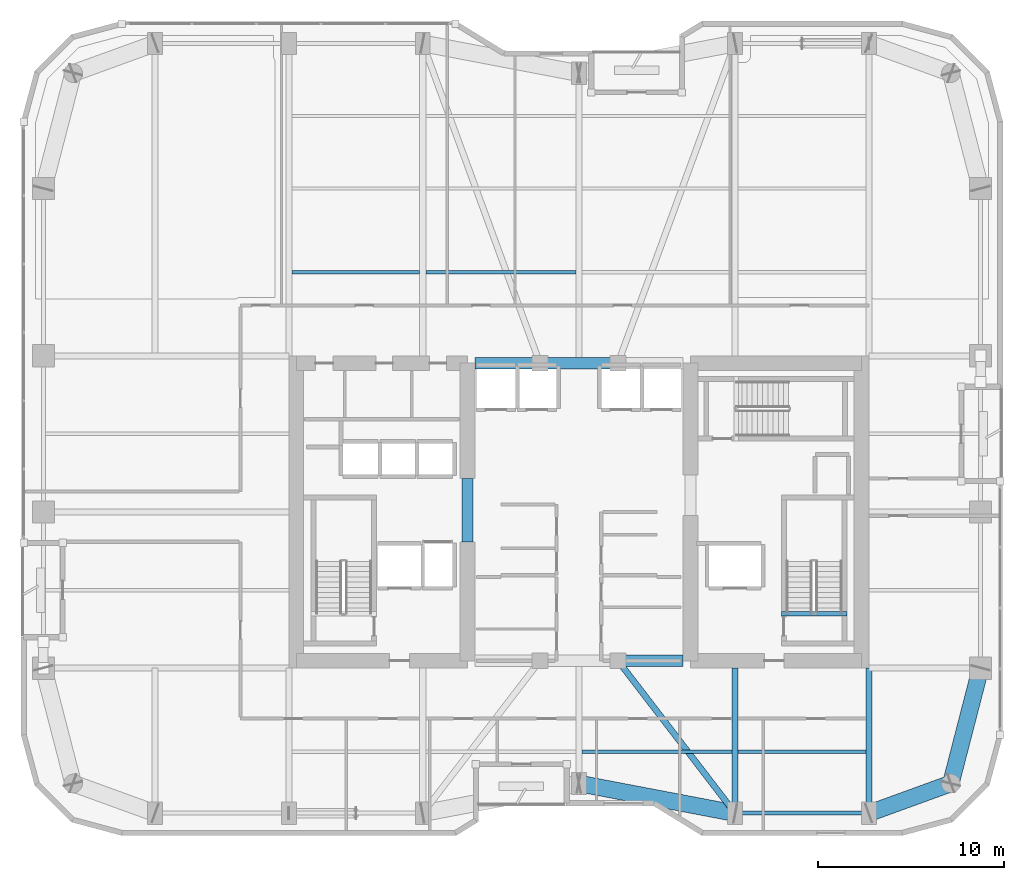
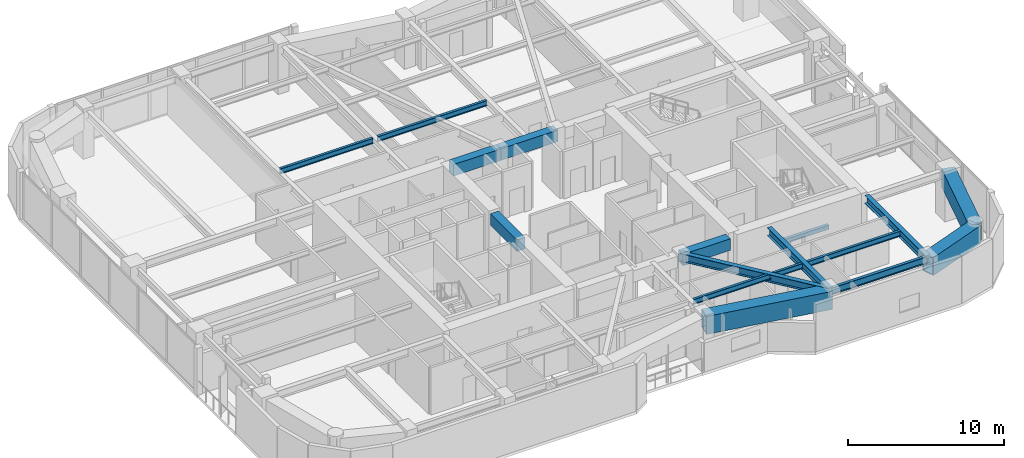
# One storey, part 8 of 30: 16 beams.
"""IFC4 building model written with IfcOpenShell, lengths in metres."""

from ifc_helpers import new_model, si_unit, direction, frame, origin, origin_2d, place, context, subcontext, project, spatial, rectangle, hollow_rectangle, i_section, extrude, material, material_profile, profile_set, type_object, element, save


model = new_model("IFC4")

# Units and contexts
model_context = context("Model", 3, precision=1e-05, world=origin(), true_north=direction((0.0, 1.0)))
body_context = subcontext(model_context, "Body", "Model", "MODEL_VIEW")
ifc_project = project(units=[si_unit("LENGTHUNIT", "METRE"), si_unit("AREAUNIT", "SQUARE_METRE"), si_unit("VOLUMEUNIT", "CUBIC_METRE"), si_unit("PLANEANGLEUNIT", "RADIAN"), si_unit("MASSUNIT", "GRAM", prefix="KILO")], contexts=[model_context])

# Site, building, storey
site_placement = place(None, origin())
site = spatial("IfcSite", under=ifc_project, at=site_placement, CompositionType="ELEMENT")
building_placement = place(site_placement, origin())
building = spatial("IfcBuilding", under=site, at=building_placement, Name="Kiyonajd Concourse Tower", CompositionType="ELEMENT")
storey_placement = place(building_placement, frame((0.0, 0.0, 166.199951171875)))
storey = spatial("IfcBuildingStorey", under=building, at=storey_placement, Name="L42", CompositionType="ELEMENT", Elevation=166.199951171875)

# Beams
ifc_material_1 = material(Name="Concrete C60/75", Category="concrete")
ifc_material_profile_1 = material_profile(ifc_material_1, rectangle(XDim=0.60009765625, YDim=0.89990234375, at=origin_2d()), Name="RCBM-600x900")
ifc_profile_set_1 = profile_set([ifc_material_profile_1], Name="Concrete C60/75")
beam_type_1 = type_object("IfcBeamType", Name="BM-COUP-900", PredefinedType="LINTEL", material=ifc_profile_set_1)
for number, where, z_axis, x_axis, name in (
    (1, (50.10009765625, 28.0, 3.22998046875), (1.0, 0.0, 0.0), (0.0, 1.0, 0.0), "L42 Core Coupling Beam S3"),
    (2, (42.39990234375, 44.0, 3.22998046875), (1.0, 0.0, 0.0), (0.0, 1.0, 0.0), "L42 Core Coupling Beam N1"),
):
    element("IfcBeam", number, at=place(storey_placement, frame(where, z_axis=z_axis, x_axis=x_axis)), inside=storey, type_object=beam_type_1, Name=name, PredefinedType="LINTEL", context=body_context, shape_type="SweptSolid", body=[
        extrude(rectangle(XDim=0.60009765625, YDim=0.89990234375, at=origin_2d()), origin(), (0.0, 0.0, 1.0), 3.5),
    ])
beam_1_placement = place(storey_placement, frame((45.89990234375, 44.0, 3.22998046875), z_axis=(1.0, 0.0, 0.0), x_axis=(0.0, 1.0, 0.0)))
element("IfcBeam", 3, at=beam_1_placement, inside=storey, type_object=beam_type_1, Name="L42 Core Coupling Beam N2", PredefinedType="LINTEL", context=body_context, shape_type="SweptSolid", body=[
    extrude(rectangle(XDim=0.60009765625, YDim=0.89990234375, at=origin_2d()), origin(), (0.0, 0.0, 1.0), 4.2001953125),
])
beam_2_placement = place(storey_placement, frame((42.0, 34.39990234375, 3.22998046875), z_axis=(0.0, 1.0, 0.0), x_axis=(-1.0, 0.0, 0.0)))
element("IfcBeam", 4, at=beam_2_placement, inside=storey, type_object=beam_type_1, Name="L42 West Core Throat Coupling Lintel", PredefinedType="LINTEL", context=body_context, shape_type="SweptSolid", body=[
    extrude(rectangle(XDim=0.60009765625, YDim=0.89990234375, at=origin_2d()), origin(), (0.0, 0.0, 1.0), 3.400146484375),
])
ifc_material_2 = material(Name="Steel ASTM A992 Grade 50", Category="steel")
ifc_material_profile_2 = material_profile(ifc_material_2, i_section(OverallWidth=0.180908203125, OverallDepth=0.4169921875, WebThickness=0.010986328125, FlangeThickness=0.018310546875, at=origin_2d()), Name="W410X85")
ifc_profile_set_2 = profile_set([ifc_material_profile_2], Name="Steel ASTM A992 Grade 50")
beam_type_2 = type_object("IfcBeamType", Name="BM-JST-410", PredefinedType="JOIST", material=ifc_profile_set_2)
beam_3_placement = place(storey_placement, frame((48.16357421875, 23.10009765625, 3.471435546875), z_axis=(1.0, 0.0, 0.0), x_axis=(0.0, 1.0, 0.0)))
element("IfcBeam", 5, at=beam_3_placement, inside=storey, type_object=beam_type_2, Name="L42 Secondary Floor Joist", PredefinedType="JOIST", context=body_context, shape_type="SweptSolid", body=[
    extrude(i_section(OverallWidth=0.180908203125, OverallDepth=0.4169921875, WebThickness=0.010986328125, FlangeThickness=0.018310546875, at=origin_2d()), origin(), (0.0, 0.0, 1.0), 8.072998046875),
])
for number, where, z_axis, x_axis, name in (
    (6, (56.5634765625, 23.10009765625, 3.471435546875), (1.0, 0.0, 0.0), (0.0, 1.0, 0.0), "L42 Secondary Floor Joist"),
    (7, (32.5634765625, 48.89990234375, 3.471435546875), (1.0, 0.0, 0.0), (0.0, 1.0, 0.0), "L42 Secondary Floor Joist"),
):
    element("IfcBeam", number, at=place(storey_placement, frame(where, z_axis=z_axis, x_axis=x_axis)), inside=storey, type_object=beam_type_2, Name=name, PredefinedType="JOIST", context=body_context, shape_type="SweptSolid", body=[
        extrude(i_section(OverallWidth=0.180908203125, OverallDepth=0.4169921875, WebThickness=0.010986328125, FlangeThickness=0.018310546875, at=origin_2d()), origin(), (0.0, 0.0, 1.0), 6.873046875),
    ])
beam_4_placement = place(storey_placement, frame((39.763427734375, 48.89990234375, 3.471435546875), z_axis=(1.0, 0.0, 0.0), x_axis=(0.0, 1.0, 0.0)))
element("IfcBeam", 8, at=beam_4_placement, inside=storey, type_object=beam_type_2, Name="L42 Secondary Floor Joist", PredefinedType="JOIST", context=body_context, shape_type="SweptSolid", body=[
    extrude(i_section(OverallWidth=0.180908203125, OverallDepth=0.4169921875, WebThickness=0.010986328125, FlangeThickness=0.018310546875, at=origin_2d()), origin(), (0.0, 0.0, 1.0), 8.072998046875),
])
ifc_material_3 = material(Name="Concrete C50/60", Category="concrete")
ifc_material_profile_3 = material_profile(ifc_material_3, rectangle(XDim=0.239990234375, YDim=0.320068359375, at=origin_2d()), Name="RCBM-240x320")
ifc_profile_set_3 = profile_set([ifc_material_profile_3], Name="Concrete C50/60")
beam_type_3 = type_object("IfcBeamType", Name="BM-LNT-250", PredefinedType="LINTEL", material=ifc_profile_set_3)
beam_5_placement = place(storey_placement, frame((58.889892578125, 30.530029296875, -0.159912109375), z_axis=(1.0, 0.0, 0.0), x_axis=(0.0, 1.0, 0.0)))
element("IfcBeam", 9, at=beam_5_placement, inside=storey, type_object=beam_type_3, Name="L42 Stair ST2 Threshold Support Beam", PredefinedType="LINTEL", context=body_context, shape_type="SweptSolid", body=[
    extrude(rectangle(XDim=0.239990234375, YDim=0.320068359375, at=origin_2d()), origin(), (0.0, 0.0, 1.0), 3.52001953125),
])
ifc_material_profile_4 = material_profile(ifc_material_2, i_section(OverallWidth=0.214111328125, OverallDepth=0.549072265625, WebThickness=0.0146484375, FlangeThickness=0.023681640625, at=origin_2d()), Name="W530X138")
ifc_profile_set_4 = profile_set([ifc_material_profile_4], Name="Steel ASTM A992 Grade 50")
beam_type_4 = type_object("IfcBeamType", Name="BM-SPAN-530A", PredefinedType="SPANDREL", material=ifc_profile_set_4)
beam_6_placement = place(storey_placement, frame((56.39990234375, 19.800048828125, 3.405517578125), z_axis=(1.0, 0.0, 0.0), x_axis=(0.0, 1.0, 0.0)))
element("IfcBeam", 10, at=beam_6_placement, inside=storey, type_object=beam_type_4, Name="L42 Perimeter Bundled Tube Spandrel", PredefinedType="SPANDREL", context=body_context, shape_type="SweptSolid", body=[
    extrude(i_section(OverallWidth=0.214111328125, OverallDepth=0.549072265625, WebThickness=0.0146484375, FlangeThickness=0.023681640625, at=origin_2d()), origin(), (0.0, 0.0, 1.0), 7.2001953125),
])
ifc_material_profile_5 = material_profile(ifc_material_2, i_section(OverallWidth=0.326904296875, OverallDepth=0.6220703125, WebThickness=0.015380859375, FlangeThickness=0.0244140625, at=origin_2d()), Name="W610X195")
ifc_profile_set_5 = profile_set([ifc_material_profile_5], Name="Steel ASTM A992 Grade 50")
beam_type_5 = type_object("IfcBeamType", Name="BM-TWR-610A", PredefinedType="BEAM", material=ifc_profile_set_5)
beam_7_placement = place(storey_placement, frame((50.10009765625, 28.0, 3.369140625), z_axis=(0.609233709922, -0.792990722956, 0.0), x_axis=(0.792990722956, 0.609233709922, 0.0)))
element("IfcBeam", 11, at=beam_7_placement, inside=storey, type_object=beam_type_5, Name="L42 Core Tie Girder", PredefinedType="BEAM", context=body_context, shape_type="SweptSolid", body=[
    extrude(i_section(OverallWidth=0.326904296875, OverallDepth=0.6220703125, WebThickness=0.015380859375, FlangeThickness=0.0244140625, at=origin_2d()), origin(), (0.0, 0.0, 1.0), 10.340576171875),
])
for number, where, z_axis, x_axis, name in (
    (12, (56.39990234375, 19.800048828125, 3.369140625), (0.0, 1.0, 0.0), (-1.0, 0.0, 0.0), "L42 South Lease Girder"),
    (13, (63.60009765625, 19.800048828125, 3.369140625), (0.0, 1.0, 0.0), (-1.0, 0.0, 0.0), "L42 South Lease Girder"),
):
    element("IfcBeam", number, at=place(storey_placement, frame(where, z_axis=z_axis, x_axis=x_axis)), inside=storey, type_object=beam_type_5, Name=name, PredefinedType="BEAM", context=body_context, shape_type="SweptSolid", body=[
        extrude(i_section(OverallWidth=0.326904296875, OverallDepth=0.6220703125, WebThickness=0.015380859375, FlangeThickness=0.0244140625, at=origin_2d()), origin(), (0.0, 0.0, 1.0), 7.800048828125),
    ])
ifc_material_4 = material(Name="Steel ASTM A572 Grade 50", Category="steel")
ifc_material_profile_6 = material_profile(ifc_material_4, hollow_rectangle(XDim=0.89990234375, YDim=1.39990234375, WallThickness=0.070068359375, at=origin_2d()), Name="BOX-1400x900x70")
ifc_profile_set_6 = profile_set([ifc_material_profile_6], Name="Steel ASTM A572 Grade 50")
beam_type_6 = type_object("IfcBeamType", Name="BM-XFER-1400", PredefinedType="BEAM", material=ifc_profile_set_6)
beam_8_placement = place(storey_placement, frame((48.0, 21.39990234375, 2.97998046875), z_axis=(0.982341315253, -0.187097675953, 0.0), x_axis=(0.187097675953, 0.982341315253, 0.0)))
element("IfcBeam", 14, at=beam_8_placement, inside=storey, type_object=beam_type_6, Name="L42 Perimeter Bundled Tube Spandrel", PredefinedType="BEAM", context=body_context, shape_type="SweptSolid", body=[
    extrude(hollow_rectangle(XDim=0.89990234375, YDim=1.39990234375, WallThickness=0.070068359375, at=origin_2d()), origin(), (0.0, 0.0, 1.0), 8.55078125),
])
beam_9_placement = place(storey_placement, frame((63.60009765625, 19.800048828125, 2.97998046875), z_axis=(0.939801036019, 0.341722127901, 0.0), x_axis=(-0.341722127901, 0.939801036019, 0.0)))
element("IfcBeam", 15, at=beam_9_placement, inside=storey, type_object=beam_type_6, Name="L42 Perimeter Bundled Tube Spandrel", PredefinedType="BEAM", context=body_context, shape_type="SweptSolid", body=[
    extrude(hollow_rectangle(XDim=0.89990234375, YDim=1.39990234375, WallThickness=0.070068359375, at=origin_2d()), origin(), (0.0, 0.0, 1.0), 4.681640625),
])
beam_10_placement = place(storey_placement, frame((68.0, 21.39990234375, 2.97998046875), z_axis=(0.249884937687, 0.968275538221, 0.0), x_axis=(-0.968275538221, 0.249884937687, 0.0)))
element("IfcBeam", 16, at=beam_10_placement, inside=storey, type_object=beam_type_6, Name="L42 Perimeter Bundled Tube Spandrel", PredefinedType="BEAM", context=body_context, shape_type="SweptSolid", body=[
    extrude(hollow_rectangle(XDim=0.89990234375, YDim=1.39990234375, WallThickness=0.070068359375, at=origin_2d()), origin(), (0.0, 0.0, 1.0), 6.4033203125),
])

save(model, "model.ifc")
